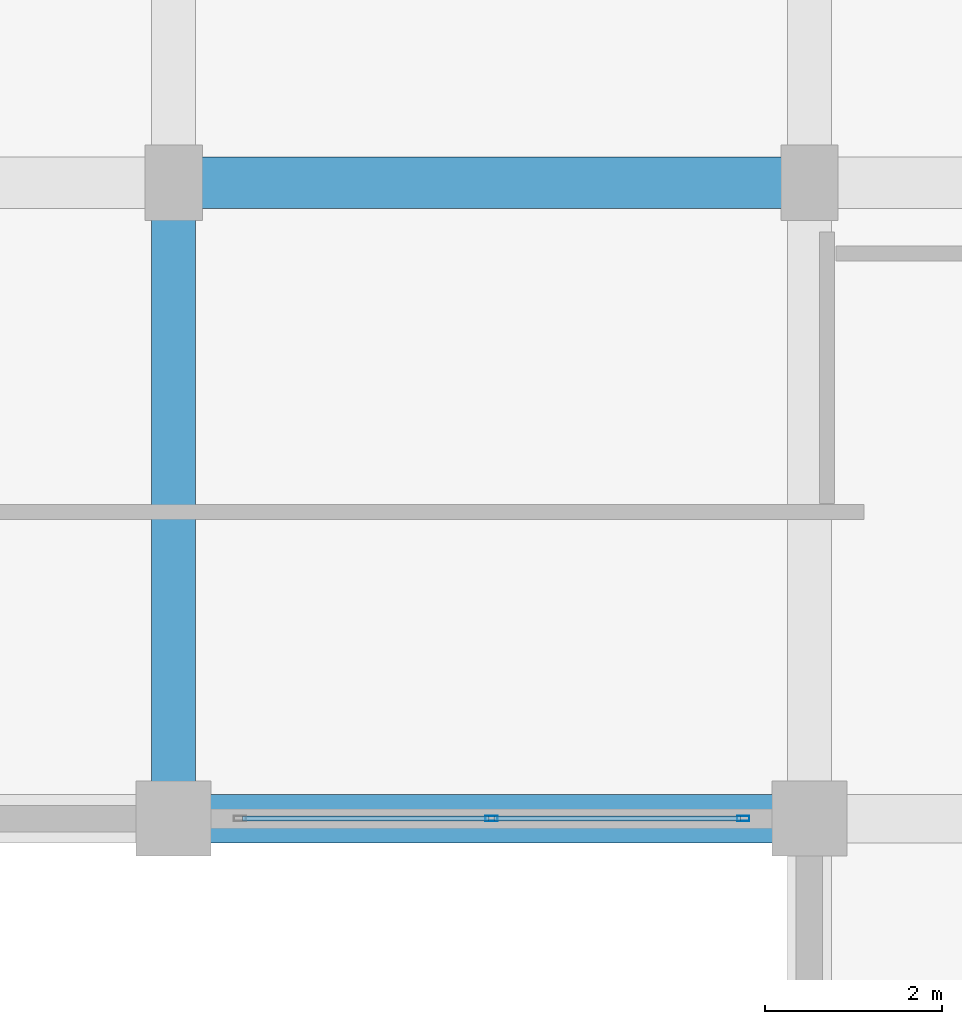
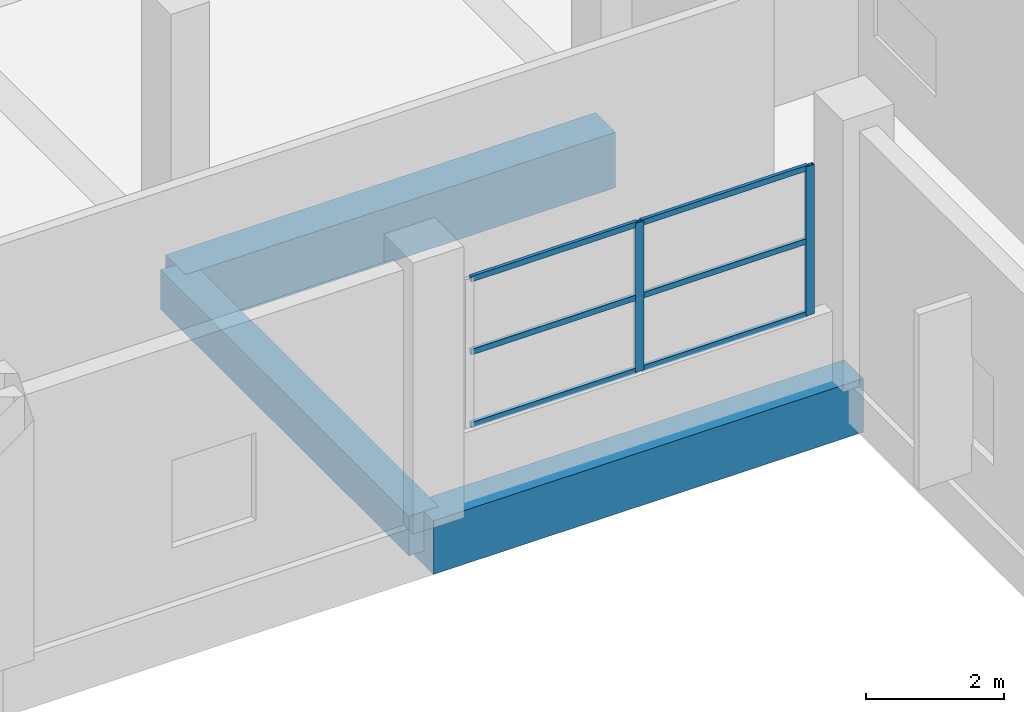
# One storey, part 128 of 181: 8 members, 3 beams, 1 element without a shape of its own.
"""IFC4 building model written with IfcOpenShell, lengths in metres."""

import ifcopenshell
import ifcopenshell.guid

model = None  # the IFC model being written
_history = None  # IfcOwnerHistory: only IFC2X3 demands one
_inside = {}  # id of a spatial element -> (the spatial element, [elements in it])
_under = {}  # id of a project, library or spatial element -> (it, [spatial elements below it])
_declared = {}  # id of a project -> (the project, [libraries it declares])
_typed = {}  # id of a type object -> (the type object, [elements of that type])
_made_of = {}  # id of a material, layer set ... -> (it, [elements and type objects made of it])


def new_model(schema):
    """Start an empty IFC model of exactly this schema.

    Asked for "IFC4X3", IfcOpenShell would pick the latest addendum, in which some entities
    have other attributes; the version numbers below select the first issue.
    IFC2X3 requires an IfcOwnerHistory on every rooted entity: one is made here for all.
    """
    global model, _history
    if schema == "IFC4X3":
        model = ifcopenshell.file(schema_version=(4, 3, 0, 0))
    else:
        model = ifcopenshell.file(schema=schema)
    _inside.clear()
    _under.clear()
    _declared.clear()
    _typed.clear()
    _made_of.clear()
    _history = None
    if model.schema == "IFC2X3":
        org = make("IfcOrganization", Name="unknown")
        user = make(
            "IfcPersonAndOrganization",
            ThePerson=make("IfcPerson", FamilyName="unknown"),
            TheOrganization=org,
        )
        app = make(
            "IfcApplication",
            ApplicationDeveloper=org,
            Version="unknown",
            ApplicationFullName="unknown",
            ApplicationIdentifier="unknown",
        )
        _history = make(
            "IfcOwnerHistory",
            OwningUser=user,
            OwningApplication=app,
            ChangeAction="ADDED",
            CreationDate=0,
        )
    return model


def make(cls, **values):
    """One entity of the class cls with the attributes given. An attribute that is None is left unset."""
    return model.create_entity(
        cls, **{name: value for name, value in values.items() if value is not None}
    )


def rooted(cls, **values):
    """An entity with a GlobalId (a new one), such as an element, a storey or a relation."""
    return make(cls, GlobalId=ifcopenshell.guid.new(), OwnerHistory=_history, **values)


def si_unit(unit_type, name, prefix=None):
    """IfcSIUnit, for example si_unit("LENGTHUNIT", "METRE", prefix="MILLI")."""
    return make("IfcSIUnit", UnitType=unit_type, Prefix=prefix, Name=name)


def assignment(units):
    """IfcUnitAssignment: the units of a project."""
    return None if units is None else make("IfcUnitAssignment", Units=units)


def point(xyz):
    """IfcCartesianPoint."""
    return None if xyz is None else make("IfcCartesianPoint", Coordinates=xyz)


def direction(xyz):
    """IfcDirection."""
    return None if xyz is None else make("IfcDirection", DirectionRatios=xyz)


def frame(location, z_axis=None, x_axis=None):
    """IfcAxis2Placement3D, a coordinate frame: its origin and axes. An axis left out is left unset."""
    return make(
        "IfcAxis2Placement3D",
        Location=point(location),
        Axis=direction(z_axis),
        RefDirection=direction(x_axis),
    )


def frame_2d(location, x_axis=None):
    """IfcAxis2Placement2D, a coordinate frame in the plane: its origin and x axis."""
    return make(
        "IfcAxis2Placement2D", Location=point(location), RefDirection=direction(x_axis)
    )


def origin():
    """The frame at (0, 0, 0) with its axes left unset."""
    return frame((0.0, 0.0, 0.0))


def origin_2d():
    """The frame at (0, 0) in the plane with its x axis left unset."""
    return frame_2d((0.0, 0.0))


def place(relative_to, where):
    """IfcLocalPlacement: puts the frame where relative to a parent placement (None: the world)."""
    return make(
        "IfcLocalPlacement", PlacementRelTo=relative_to, RelativePlacement=where
    )


def context(
    kind, dimensions, precision=None, world=None, true_north=None, identifier=None
):
    """IfcGeometricRepresentationContext, for example the 3D "Model" context."""
    return make(
        "IfcGeometricRepresentationContext",
        ContextIdentifier=identifier,
        ContextType=kind,
        CoordinateSpaceDimension=dimensions,
        Precision=precision,
        WorldCoordinateSystem=world,
        TrueNorth=true_north,
    )


def subcontext(parent, identifier, kind, view, scale=None):
    """IfcGeometricRepresentationSubContext, for example "Body" below "Model"."""
    return make(
        "IfcGeometricRepresentationSubContext",
        ContextIdentifier=identifier,
        ContextType=kind,
        ParentContext=parent,
        TargetScale=scale,
        TargetView=view,
    )


def project(units=None, contexts=None):
    """IfcProject with its units and contexts."""
    return rooted(
        "IfcProject",
        Name="project",
        RepresentationContexts=contexts,
        UnitsInContext=assignment(units),
    )


def spatial(cls, under=None, at=None, **own):
    """A site, building, storey or space (cls), placed at a placement, below another one or the project."""
    s = rooted(cls, ObjectPlacement=at, **own)
    if under is not None:
        _under.setdefault(under.id(), (under, []))[1].append(s)
    return s


def profile(cls, at=None, kind="AREA", **sizes):
    """A parametric profile (cls). Its sizes go by their IFC names, for example OverallWidth=200.0."""
    return make(cls, ProfileType=kind, Position=at, **sizes)


def rectangle(**sizes):
    """IfcRectangleProfileDef."""
    return profile("IfcRectangleProfileDef", **sizes)


def hollow_rectangle(**sizes):
    """IfcRectangleHollowProfileDef."""
    return profile("IfcRectangleHollowProfileDef", **sizes)


def extrude(swept, where, along, depth):
    """IfcExtrudedAreaSolid: the profile swept, set in the frame where, extruded along a direction by depth."""
    return make(
        "IfcExtrudedAreaSolid",
        SweptArea=swept,
        Position=where,
        ExtrudedDirection=direction(along),
        Depth=depth,
    )


def shape(context_of_items, identifier, shape_type, items):
    """IfcShapeRepresentation: the items that make up one representation, for example the "Body"."""
    return make(
        "IfcShapeRepresentation",
        ContextOfItems=context_of_items,
        RepresentationIdentifier=identifier,
        RepresentationType=shape_type,
        Items=items,
    )


def material(Name=None, Category=None):
    """IfcMaterial."""
    return make("IfcMaterial", Name=Name, Category=Category)


def layer(
    of_material, thickness, ventilated=None, Name=None, Category=None, Priority=None
):
    """IfcMaterialLayer: one layer of a wall or slab, of a material (None: an air gap)."""
    return make(
        "IfcMaterialLayer",
        Material=of_material,
        LayerThickness=thickness,
        IsVentilated=ventilated,
        Name=Name,
        Category=Category,
        Priority=Priority,
    )


def layer_set(layers, Name=None):
    """IfcMaterialLayerSet."""
    return make("IfcMaterialLayerSet", MaterialLayers=layers, LayerSetName=Name)


def material_profile(
    of_material, cross_section, Name=None, Category=None, Priority=None
):
    """IfcMaterialProfile: a cross section and its material."""
    return make(
        "IfcMaterialProfile",
        Name=Name,
        Material=of_material,
        Profile=cross_section,
        Priority=Priority,
        Category=Category,
    )


def profile_set(profiles, Name=None, composite=None):
    """IfcMaterialProfileSet."""
    return make(
        "IfcMaterialProfileSet",
        Name=Name,
        MaterialProfiles=profiles,
        CompositeProfile=composite,
    )


def made_of(thing, what):
    """Note that an element or type object is made of a material, layer set ...; save() writes the relation."""
    if what is not None:
        _made_of.setdefault(what.id(), (what, []))[1].append(thing)
    return thing


def type_object(cls, material=None, **own):
    """A type object (cls), such as IfcWallType, which elements share."""
    return made_of(rooted(cls, **own), material)


def element(
    cls,
    number,
    at=None,
    inside=None,
    cuts=None,
    type_object=None,
    material=None,
    context=None,
    identifier="Body",
    shape_type=None,
    held_by="IfcProductDefinitionShape",
    body=None,
    shapes=None,
    **own,
):
    """One element of the class cls, such as IfcWall. Its Tag is "e" and its number.

    at: its placement. inside: the storey or other place that contains it. cuts: it is an
    opening in that element (IfcRelVoidsElement). A single representation is given by context,
    identifier, shape_type and body (its items); several are given by shapes. held_by: the class
    of the entity that holds the representations. save() writes the other relations.
    """
    e = rooted(cls, Tag="e%d" % number, ObjectPlacement=at, **own)
    if body is not None:
        shapes = [shape(context, identifier, shape_type, body)]
    if shapes is not None:
        e.Representation = make(held_by, Representations=shapes)
    if inside is not None:
        _inside.setdefault(inside.id(), (inside, []))[1].append(e)
    if cuts is not None:
        rooted(
            "IfcRelVoidsElement", RelatingBuildingElement=cuts, RelatedOpeningElement=e
        )
    if type_object is not None:
        _typed.setdefault(type_object.id(), (type_object, []))[1].append(e)
    return made_of(e, material)


def aggregate(whole, parts):
    """IfcRelAggregates: a whole, such as a stair, and the parts it consists of."""
    return rooted("IfcRelAggregates", RelatingObject=whole, RelatedObjects=parts)


def save(model, path):
    """Write the relations noted so far, then the file.

    IfcRelAggregates (storeys below a building ...), IfcRelContainedInSpatialStructure (elements
    in a storey), IfcRelDefinesByType, IfcRelAssociatesMaterial and IfcRelDeclares: one each for
    every whole, place, type object, material and project.
    """
    for whole, parts in _under.values():
        aggregate(whole, parts)
    for where, things in _inside.values():
        rooted(
            "IfcRelContainedInSpatialStructure",
            RelatedElements=things,
            RelatingStructure=where,
        )
    for kind, things in _typed.values():
        rooted("IfcRelDefinesByType", RelatedObjects=things, RelatingType=kind)
    for what, things in _made_of.values():
        rooted("IfcRelAssociatesMaterial", RelatedObjects=things, RelatingMaterial=what)
    for by, libraries in _declared.values():
        rooted("IfcRelDeclares", RelatingContext=by, RelatedDefinitions=libraries)
    model.write(path)


model = new_model("IFC4")

# Units and contexts
model_context = context("Model", 3, precision=1e-05, world=origin(), true_north=direction((0.0, 1.0)))
body_context = subcontext(model_context, "Body", "Model", "MODEL_VIEW")
ifc_project = project(units=[si_unit("LENGTHUNIT", "METRE"), si_unit("AREAUNIT", "SQUARE_METRE"), si_unit("VOLUMEUNIT", "CUBIC_METRE"), si_unit("PLANEANGLEUNIT", "RADIAN"), si_unit("MASSUNIT", "GRAM", prefix="KILO")], contexts=[model_context])

# Site, building, storey
site_placement = place(None, origin())
site = spatial("IfcSite", under=ifc_project, at=site_placement, CompositionType="ELEMENT")
building_placement = place(site_placement, origin())
building = spatial("IfcBuilding", under=site, at=building_placement, Name="Seraya Terrace Polytechnic", CompositionType="ELEMENT")
storey_placement = place(building_placement, frame((0.0, 0.0, 4.800048828125)))
storey = spatial("IfcBuildingStorey", under=building, at=storey_placement, Name="L01", CompositionType="ELEMENT", Elevation=4.800048828125)

# Beams
ifc_material_1 = material(Name="Concrete C40/50", Category="concrete")
ifc_material_profile_1 = material_profile(ifc_material_1, rectangle(XDim=0.580078125, YDim=0.97998046875, at=origin_2d()), Name="RC 580x980")
ifc_profile_set_1 = profile_set([ifc_material_profile_1], Name="Concrete C40/50")
beam_type_1 = type_object("IfcBeamType", Name="BM-02", PredefinedType="BEAM", material=ifc_profile_set_1)
beam_1_placement = place(storey_placement, frame((136.800048828125, 79.199951171875, -0.489990234375), z_axis=(1.0, 0.0, 0.0), x_axis=(0.0, 1.0, 0.0)))
element("IfcBeam", 1, at=beam_1_placement, inside=storey, type_object=beam_type_1, Name="Beam BM-02 L01 X (136.8..144.0, 79.2)", PredefinedType="BEAM", context=body_context, shape_type="SweptSolid", body=[
    extrude(rectangle(XDim=0.580078125, YDim=0.97998046875, at=origin_2d()), origin(), (0.0, 0.0, 1.0), 7.199951171875),
])
ifc_material_profile_2 = material_profile(ifc_material_1, rectangle(XDim=0.550048828125, YDim=0.949951171875, at=origin_2d()), Name="RC 550x950")
ifc_profile_set_2 = profile_set([ifc_material_profile_2], Name="Concrete C40/50")
beam_type_2 = type_object("IfcBeamType", Name="BM-03", PredefinedType="BEAM", material=ifc_profile_set_2)
beam_2_placement = place(storey_placement, frame((136.800048828125, 72.0, -0.47509765625), z_axis=(1.0, 0.0, 0.0), x_axis=(0.0, 1.0, 0.0)))
element("IfcBeam", 2, at=beam_2_placement, inside=storey, type_object=beam_type_2, Name="Beam BM-03 L01 X (136.8..144.0, 72.0)", PredefinedType="BEAM", context=body_context, shape_type="SweptSolid", body=[
    extrude(rectangle(XDim=0.550048828125, YDim=0.949951171875, at=origin_2d()), origin(), (0.0, 0.0, 1.0), 7.199951171875),
])
ifc_material_profile_3 = material_profile(ifc_material_1, rectangle(XDim=0.5, YDim=0.699951171875, at=origin_2d()), Name="RC 500x700")
ifc_profile_set_3 = profile_set([ifc_material_profile_3], Name="Concrete C40/50")
beam_type_3 = type_object("IfcBeamType", Name="BM-07", PredefinedType="BEAM", material=ifc_profile_set_3)
beam_3_placement = place(storey_placement, frame((136.800048828125, 72.0, -0.35009765625), z_axis=(0.0, 1.0, 0.0), x_axis=(-1.0, 0.0, 0.0)))
element("IfcBeam", 3, at=beam_3_placement, inside=storey, type_object=beam_type_3, Name="Beam BM-07 L01 Y (136.8, 72.0..79.2)", PredefinedType="BEAM", context=body_context, shape_type="SweptSolid", body=[
    extrude(rectangle(XDim=0.5, YDim=0.699951171875, at=origin_2d()), origin(), (0.0, 0.0, 1.0), 7.199951171875),
])

# Curtain wall, members
ifc_material_2 = material(Name="Anodised aluminium EN AW-6063 T6", Category="aluminium")
ifc_layer = layer(ifc_material_2, 0.179931640625, Name="CW-12")
ifc_layer_set = layer_set([ifc_layer], Name="Anodised aluminium EN AW-6063 T6")
curtain_wall_type = type_object("IfcCurtainWallType", Name="CW-12", PredefinedType="NOTDEFINED", material=ifc_layer_set)
curtain_wall_placement = place(storey_placement, origin())
curtain_wall = element("IfcCurtainWall", 4, at=curtain_wall_placement, inside=storey, type_object=curtain_wall_type, Name="Unitised curtain wall CW-12 (CW-L01-048)", PredefinedType="NOTDEFINED")
ifc_material_profile_4 = material_profile(ifc_material_2, hollow_rectangle(XDim=0.06005859375, YDim=0.139892578125, WallThickness=0.00341796875, at=origin_2d()), Name="RHS 140x60x3.5")
ifc_profile_set_4 = profile_set([ifc_material_profile_4], Name="Anodised aluminium EN AW-6063 T6")
member_type_1 = type_object("IfcMemberType", Name="CWM-03", PredefinedType="MULLION", material=ifc_profile_set_4)
member_1_placement = place(storey_placement, frame((143.25, 72.0, 1.239990234375), z_axis=(0.0, 0.0, 1.0), x_axis=(0.0, -1.0, 0.0)))
member_1 = element("IfcMember", 5, at=member_1_placement, type_object=member_type_1, Name="CW-12 mullion 1", PredefinedType="MULLION", context=body_context, shape_type="SweptSolid", body=[
    extrude(hollow_rectangle(XDim=0.06005859375, YDim=0.139892578125, WallThickness=0.00341796875, at=origin_2d()), origin(), (0.0, 0.0, 1.0), 2.639892578125),
])
member_2_placement = place(storey_placement, frame((140.39990234375, 72.0, 1.239990234375), z_axis=(0.0, 0.0, 1.0), x_axis=(0.0, -1.0, 0.0)))
member_2 = element("IfcMember", 6, at=member_2_placement, type_object=member_type_1, Name="CW-12 mullion 2", PredefinedType="MULLION", context=body_context, shape_type="SweptSolid", body=[
    extrude(hollow_rectangle(XDim=0.06005859375, YDim=0.139892578125, WallThickness=0.00341796875, at=origin_2d()), origin(), (0.0, 0.0, 1.0), 2.639892578125),
])
ifc_material_profile_5 = material_profile(ifc_material_2, hollow_rectangle(XDim=0.054931640625, YDim=0.10009765625, WallThickness=0.0029296875, at=origin_2d()), Name="RHS 100x55x3.0")
ifc_profile_set_5 = profile_set([ifc_material_profile_5], Name="Anodised aluminium EN AW-6063 T6")
member_type_2 = type_object("IfcMemberType", Name="CWT-03", PredefinedType="USERDEFINED", material=ifc_profile_set_5)
member_3_placement = place(storey_placement, frame((143.219970703125, 72.0, 1.267333984375), z_axis=(-1.0, 0.0, 0.0), x_axis=(0.0, -1.0, 0.0)))
member_3 = element("IfcMember", 7, at=member_3_placement, type_object=member_type_2, Name="CW-12 transom 1.1", ObjectType="TRANSOM", PredefinedType="USERDEFINED", context=body_context, shape_type="SweptSolid", body=[
    extrude(hollow_rectangle(XDim=0.054931640625, YDim=0.10009765625, WallThickness=0.0029296875, at=origin_2d()), origin(), (0.0, 0.0, 1.0), 2.7900390625),
])
member_4_placement = place(storey_placement, frame((143.219970703125, 72.0, 2.56005859375), z_axis=(-1.0, 0.0, 0.0), x_axis=(0.0, -1.0, 0.0)))
member_4 = element("IfcMember", 8, at=member_4_placement, type_object=member_type_2, Name="CW-12 transom 1.2", ObjectType="TRANSOM", PredefinedType="USERDEFINED", context=body_context, shape_type="SweptSolid", body=[
    extrude(hollow_rectangle(XDim=0.054931640625, YDim=0.10009765625, WallThickness=0.0029296875, at=origin_2d()), origin(), (0.0, 0.0, 1.0), 2.7900390625),
])
member_5_placement = place(storey_placement, frame((143.219970703125, 72.0, 3.8525390625), z_axis=(-1.0, 0.0, 0.0), x_axis=(0.0, -1.0, 0.0)))
member_5 = element("IfcMember", 9, at=member_5_placement, type_object=member_type_2, Name="CW-12 transom 1.3", ObjectType="TRANSOM", PredefinedType="USERDEFINED", context=body_context, shape_type="SweptSolid", body=[
    extrude(hollow_rectangle(XDim=0.054931640625, YDim=0.10009765625, WallThickness=0.0029296875, at=origin_2d()), origin(), (0.0, 0.0, 1.0), 2.7900390625),
])
member_6_placement = place(storey_placement, frame((140.3701171875, 72.0, 1.267333984375), z_axis=(-1.0, 0.0, 0.0), x_axis=(0.0, -1.0, 0.0)))
member_6 = element("IfcMember", 10, at=member_6_placement, type_object=member_type_2, Name="CW-12 transom 2.1", ObjectType="TRANSOM", PredefinedType="USERDEFINED", context=body_context, shape_type="SweptSolid", body=[
    extrude(hollow_rectangle(XDim=0.054931640625, YDim=0.10009765625, WallThickness=0.0029296875, at=origin_2d()), origin(), (0.0, 0.0, 1.0), 2.7900390625),
])
member_7_placement = place(storey_placement, frame((140.3701171875, 72.0, 2.56005859375), z_axis=(-1.0, 0.0, 0.0), x_axis=(0.0, -1.0, 0.0)))
member_7 = element("IfcMember", 11, at=member_7_placement, type_object=member_type_2, Name="CW-12 transom 2.2", ObjectType="TRANSOM", PredefinedType="USERDEFINED", context=body_context, shape_type="SweptSolid", body=[
    extrude(hollow_rectangle(XDim=0.054931640625, YDim=0.10009765625, WallThickness=0.0029296875, at=origin_2d()), origin(), (0.0, 0.0, 1.0), 2.7900390625),
])
member_8_placement = place(storey_placement, frame((140.3701171875, 72.0, 3.8525390625), z_axis=(-1.0, 0.0, 0.0), x_axis=(0.0, -1.0, 0.0)))
member_8 = element("IfcMember", 12, at=member_8_placement, type_object=member_type_2, Name="CW-12 transom 2.3", ObjectType="TRANSOM", PredefinedType="USERDEFINED", context=body_context, shape_type="SweptSolid", body=[
    extrude(hollow_rectangle(XDim=0.054931640625, YDim=0.10009765625, WallThickness=0.0029296875, at=origin_2d()), origin(), (0.0, 0.0, 1.0), 2.7900390625),
])
aggregate(curtain_wall, [member_1, member_2, member_3, member_4, member_5, member_6, member_7, member_8])

save(model, "model.ifc")
